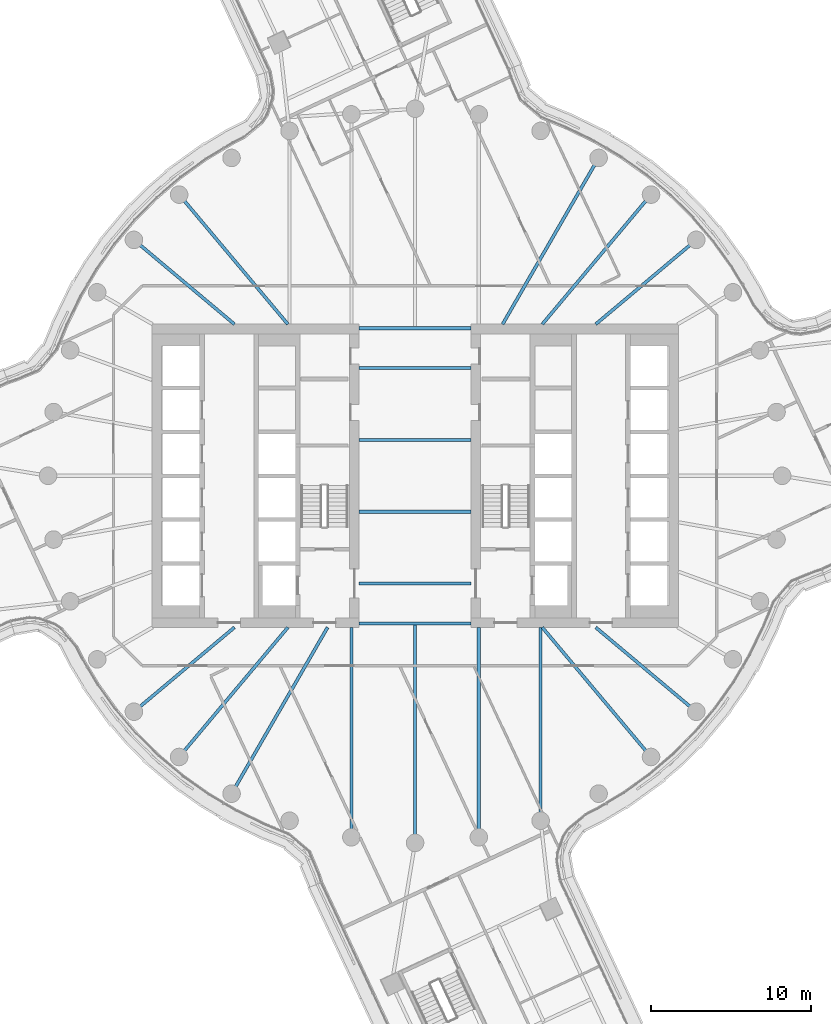
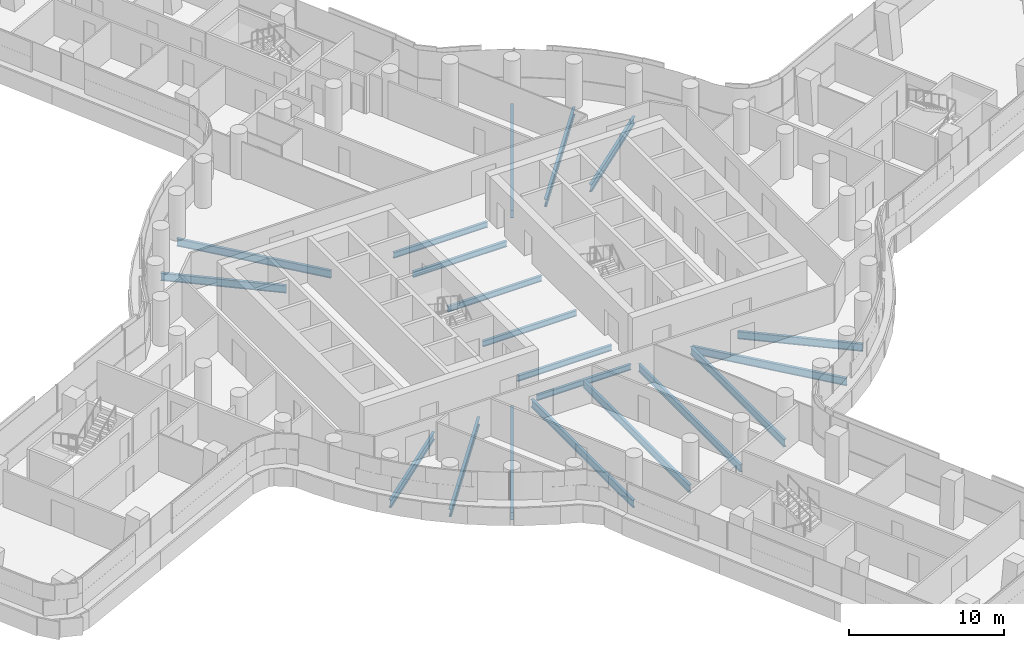
# One storey, part 9 of 36: 20 beams.
"""IFC4 building model written with IfcOpenShell, lengths in metres."""

from ifc_helpers import new_model, si_unit, direction, frame, origin, origin_2d, place, context, subcontext, project, spatial, i_section, extrude, material, material_profile, profile_set, type_object, element, save


model = new_model("IFC4")

# Units and contexts
model_context = context("Model", 3, precision=1e-05, world=origin(), true_north=direction((0.0, 1.0)))
body_context = subcontext(model_context, "Body", "Model", "MODEL_VIEW")
ifc_project = project(units=[si_unit("LENGTHUNIT", "METRE"), si_unit("AREAUNIT", "SQUARE_METRE"), si_unit("VOLUMEUNIT", "CUBIC_METRE"), si_unit("PLANEANGLEUNIT", "RADIAN"), si_unit("MASSUNIT", "GRAM", prefix="KILO")], contexts=[model_context])

# Site, building, storey
site_placement = place(None, origin())
site = spatial("IfcSite", under=ifc_project, at=site_placement, CompositionType="ELEMENT")
building_placement = place(site_placement, origin())
building = spatial("IfcBuilding", under=site, at=building_placement, Name="Tamarind Cross Interchange Tower", CompositionType="ELEMENT")
storey_placement = place(building_placement, frame((0.0, 0.0, 124.75)))
storey = spatial("IfcBuildingStorey", under=building, at=storey_placement, Name="L30", CompositionType="ELEMENT", Elevation=124.75)

# Beams
ifc_material = material(Name="Steel Q355B", Category="steel")
ifc_material_profile_1 = material_profile(ifc_material, i_section(OverallWidth=0.198974609375, OverallDepth=0.446044921875, WebThickness=0.008056640625, FlangeThickness=0.011962890625, FilletRadius=0.012939453125, at=origin_2d()), Name="HN 446x199x8x12")
ifc_profile_set_1 = profile_set([ifc_material_profile_1], Name="Steel Q355B")
beam_type_1 = type_object("IfcBeamType", Name="Composite beam HN 446x199x8x12 Q355B", PredefinedType="BEAM", material=ifc_profile_set_1)
for number, where, z_axis, x_axis, name in (
    (1, (-3.5, -2.25, -0.363037109375), (1.0, 0.0, 0.0), (0.0, 1.0, 0.0), "Beam G-2.25"),
    (2, (-3.5, -6.75, -0.363037109375), (1.0, 0.0, 0.0), (0.0, 1.0, 0.0), "Beam G-6.75"),
    (3, (-3.5, -9.25, -0.363037109375), (1.0, 0.0, 0.0), (0.0, 1.0, 0.0), "Beam G-9.25"),
    (4, (-3.5, 2.25, -0.363037109375), (1.0, 0.0, 0.0), (0.0, 1.0, 0.0), "Beam G2.25"),
    (5, (-3.5, 6.75, -0.363037109375), (1.0, 0.0, 0.0), (0.0, 1.0, 0.0), "Beam G6.75"),
    (6, (-3.5, 9.25, -0.363037109375), (1.0, 0.0, 0.0), (0.0, 1.0, 0.0), "Beam G9.25"),
):
    element("IfcBeam", number, at=place(storey_placement, frame(where, z_axis=z_axis, x_axis=x_axis)), inside=storey, type_object=beam_type_1, Name=name, PredefinedType="BEAM", context=body_context, shape_type="SweptSolid", body=[
        extrude(i_section(OverallWidth=0.198974609375, OverallDepth=0.446044921875, WebThickness=0.008056640625, FlangeThickness=0.011962890625, FilletRadius=0.012939453125, at=origin_2d()), origin(), (0.0, 0.0, 1.0), 7.0),
    ])
ifc_material_profile_2 = material_profile(ifc_material, i_section(OverallWidth=0.198974609375, OverallDepth=0.595947265625, WebThickness=0.010009765625, FlangeThickness=0.014892578125, FilletRadius=0.012939453125, at=origin_2d()), Name="HN 596x199x10x15")
ifc_profile_set_2 = profile_set([ifc_material_profile_2], Name="Steel Q355B")
beam_type_2 = type_object("IfcBeamType", Name="Composite beam HN 596x199x10x15 Q355B", PredefinedType="BEAM", material=ifc_profile_set_2)
beam_1_placement = place(storey_placement, frame((17.619140625, 14.7841796875, -0.43798828125), z_axis=(-0.766040580814, -0.642792212574, 0.0), x_axis=(0.642792212574, -0.766040580814, 0.0)))
element("IfcBeam", 7, at=beam_1_placement, inside=storey, type_object=beam_type_2, Name="Beam HH04", PredefinedType="BEAM", context=body_context, shape_type="SweptSolid", body=[
    extrude(i_section(OverallWidth=0.198974609375, OverallDepth=0.595947265625, WebThickness=0.010009765625, FlangeThickness=0.014892578125, FilletRadius=0.012939453125, at=origin_2d()), origin(), (0.0, 0.0, 1.0), 8.220703125),
])
beam_2_placement = place(storey_placement, frame((14.7841796875, 17.619140625, -0.43798828125), z_axis=(-0.642786293979, -0.766045547127, 0.0), x_axis=(0.766045547127, -0.642786293979, 0.0)))
element("IfcBeam", 8, at=beam_2_placement, inside=storey, type_object=beam_type_2, Name="Beam HH05", PredefinedType="BEAM", context=body_context, shape_type="SweptSolid", body=[
    extrude(i_section(OverallWidth=0.198974609375, OverallDepth=0.595947265625, WebThickness=0.010009765625, FlangeThickness=0.014892578125, FilletRadius=0.012939453125, at=origin_2d()), origin(), (0.0, 0.0, 1.0), 10.598876953125),
])
beam_3_placement = place(storey_placement, frame((11.5, 19.918701171875, -0.43798828125), z_axis=(-0.499993565836, -0.866029118519, 0.0), x_axis=(0.866029118519, -0.499993565836, 0.0)))
element("IfcBeam", 9, at=beam_3_placement, inside=storey, type_object=beam_type_2, Name="Beam HH06", PredefinedType="BEAM", context=body_context, shape_type="SweptSolid", body=[
    extrude(i_section(OverallWidth=0.198974609375, OverallDepth=0.595947265625, WebThickness=0.010009765625, FlangeThickness=0.014892578125, FilletRadius=0.012939453125, at=origin_2d()), origin(), (0.0, 0.0, 1.0), 12.030517578125),
])
beam_4_placement = place(storey_placement, frame((-14.7841796875, 17.619140625, -0.43798828125), z_axis=(0.642786293979, -0.766045547127, 0.0), x_axis=(0.766045547127, 0.642786293979, 0.0)))
element("IfcBeam", 10, at=beam_4_placement, inside=storey, type_object=beam_type_2, Name="Beam HH13", PredefinedType="BEAM", context=body_context, shape_type="SweptSolid", body=[
    extrude(i_section(OverallWidth=0.198974609375, OverallDepth=0.595947265625, WebThickness=0.010009765625, FlangeThickness=0.014892578125, FilletRadius=0.012939453125, at=origin_2d()), origin(), (0.0, 0.0, 1.0), 10.598876953125),
])
for number, where, z_axis, x_axis, name in (
    (11, (-17.619140625, 14.7841796875, -0.43798828125), (0.766040580814, -0.642792212574, 0.0), (0.642792212574, 0.766040580814, 0.0), "Beam HH14"),
    (12, (-17.619140625, -14.7841796875, -0.43798828125), (0.766040580814, 0.642792212574, 0.0), (-0.642792212574, 0.766040580814, 0.0), "Beam HH22"),
):
    element("IfcBeam", number, at=place(storey_placement, frame(where, z_axis=z_axis, x_axis=x_axis)), inside=storey, type_object=beam_type_2, Name=name, PredefinedType="BEAM", context=body_context, shape_type="SweptSolid", body=[
        extrude(i_section(OverallWidth=0.198974609375, OverallDepth=0.595947265625, WebThickness=0.010009765625, FlangeThickness=0.014892578125, FilletRadius=0.012939453125, at=origin_2d()), origin(), (0.0, 0.0, 1.0), 8.220703125),
    ])
beam_5_placement = place(storey_placement, frame((-14.7841796875, -17.619140625, -0.43798828125), z_axis=(0.642786293979, 0.766045547127, 0.0), x_axis=(-0.766045547127, 0.642786293979, 0.0)))
element("IfcBeam", 13, at=beam_5_placement, inside=storey, type_object=beam_type_2, Name="Beam HH23", PredefinedType="BEAM", context=body_context, shape_type="SweptSolid", body=[
    extrude(i_section(OverallWidth=0.198974609375, OverallDepth=0.595947265625, WebThickness=0.010009765625, FlangeThickness=0.014892578125, FilletRadius=0.012939453125, at=origin_2d()), origin(), (0.0, 0.0, 1.0), 10.598876953125),
])
beam_6_placement = place(storey_placement, frame((-11.5, -19.918701171875, -0.43798828125), z_axis=(0.499993565836, 0.866029118519, 0.0), x_axis=(-0.866029118519, 0.499993565836, 0.0)))
element("IfcBeam", 14, at=beam_6_placement, inside=storey, type_object=beam_type_2, Name="Beam HH24", PredefinedType="BEAM", context=body_context, shape_type="SweptSolid", body=[
    extrude(i_section(OverallWidth=0.198974609375, OverallDepth=0.595947265625, WebThickness=0.010009765625, FlangeThickness=0.014892578125, FilletRadius=0.012939453125, at=origin_2d()), origin(), (0.0, 0.0, 1.0), 12.030517578125),
])
beam_7_placement = place(storey_placement, frame((-3.993896484375, -22.650634765625, -0.43798828125), z_axis=(0.0, 1.0, 0.0), x_axis=(-1.0, 0.0, 0.0)))
element("IfcBeam", 15, at=beam_7_placement, inside=storey, type_object=beam_type_2, Name="Beam HH26", PredefinedType="BEAM", context=body_context, shape_type="SweptSolid", body=[
    extrude(i_section(OverallWidth=0.198974609375, OverallDepth=0.595947265625, WebThickness=0.010009765625, FlangeThickness=0.014892578125, FilletRadius=0.012939453125, at=origin_2d()), origin(), (0.0, 0.0, 1.0), 13.150634765625),
])
beam_8_placement = place(storey_placement, frame((0.0, -23.0, -0.43798828125), z_axis=(0.0, 1.0, 0.0), x_axis=(-1.0, 0.0, 0.0)))
element("IfcBeam", 16, at=beam_8_placement, inside=storey, type_object=beam_type_2, Name="Beam HH27", PredefinedType="BEAM", context=body_context, shape_type="SweptSolid", body=[
    extrude(i_section(OverallWidth=0.198974609375, OverallDepth=0.595947265625, WebThickness=0.010009765625, FlangeThickness=0.014892578125, FilletRadius=0.012939453125, at=origin_2d()), origin(), (0.0, 0.0, 1.0), 13.75),
])
beam_9_placement = place(storey_placement, frame((3.993896484375, -22.650634765625, -0.43798828125), z_axis=(0.0, 1.0, 0.0), x_axis=(-1.0, 0.0, 0.0)))
element("IfcBeam", 17, at=beam_9_placement, inside=storey, type_object=beam_type_2, Name="Beam HH28", PredefinedType="BEAM", context=body_context, shape_type="SweptSolid", body=[
    extrude(i_section(OverallWidth=0.198974609375, OverallDepth=0.595947265625, WebThickness=0.010009765625, FlangeThickness=0.014892578125, FilletRadius=0.012939453125, at=origin_2d()), origin(), (0.0, 0.0, 1.0), 13.150634765625),
])
beam_10_placement = place(storey_placement, frame((7.866455078125, -21.613037109375, -0.43798828125), z_axis=(0.0, 1.0, 0.0), x_axis=(-1.0, 0.0, 0.0)))
element("IfcBeam", 18, at=beam_10_placement, inside=storey, type_object=beam_type_2, Name="Beam HH29", PredefinedType="BEAM", context=body_context, shape_type="SweptSolid", body=[
    extrude(i_section(OverallWidth=0.198974609375, OverallDepth=0.595947265625, WebThickness=0.010009765625, FlangeThickness=0.014892578125, FilletRadius=0.012939453125, at=origin_2d()), origin(), (0.0, 0.0, 1.0), 12.113037109375),
])
beam_11_placement = place(storey_placement, frame((14.7841796875, -17.619140625, -0.43798828125), z_axis=(-0.642786293979, 0.766045547127, 0.0), x_axis=(-0.766045547127, -0.642786293979, 0.0)))
element("IfcBeam", 19, at=beam_11_placement, inside=storey, type_object=beam_type_2, Name="Beam HH31", PredefinedType="BEAM", context=body_context, shape_type="SweptSolid", body=[
    extrude(i_section(OverallWidth=0.198974609375, OverallDepth=0.595947265625, WebThickness=0.010009765625, FlangeThickness=0.014892578125, FilletRadius=0.012939453125, at=origin_2d()), origin(), (0.0, 0.0, 1.0), 10.598876953125),
])
beam_12_placement = place(storey_placement, frame((17.619140625, -14.7841796875, -0.43798828125), z_axis=(-0.766040580814, 0.642792212574, 0.0), x_axis=(-0.642792212574, -0.766040580814, 0.0)))
element("IfcBeam", 20, at=beam_12_placement, inside=storey, type_object=beam_type_2, Name="Beam HH32", PredefinedType="BEAM", context=body_context, shape_type="SweptSolid", body=[
    extrude(i_section(OverallWidth=0.198974609375, OverallDepth=0.595947265625, WebThickness=0.010009765625, FlangeThickness=0.014892578125, FilletRadius=0.012939453125, at=origin_2d()), origin(), (0.0, 0.0, 1.0), 8.220703125),
])

save(model, "model.ifc")
